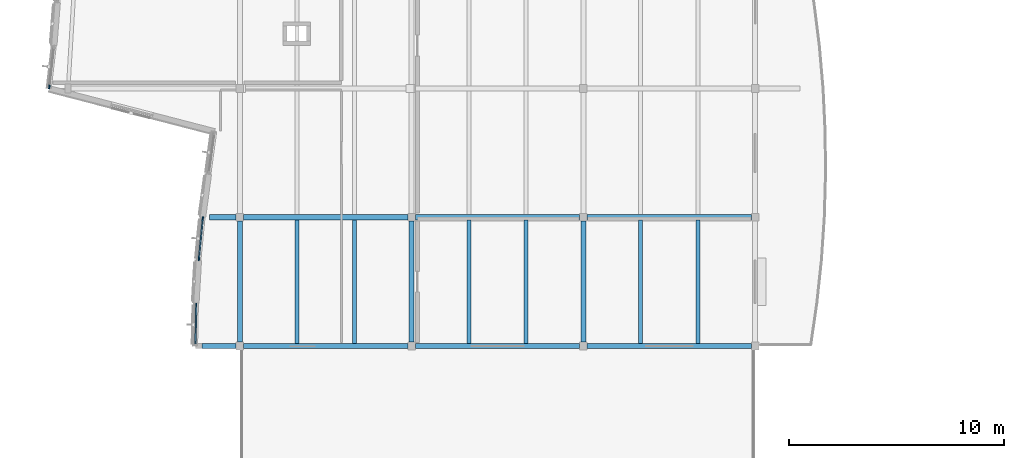
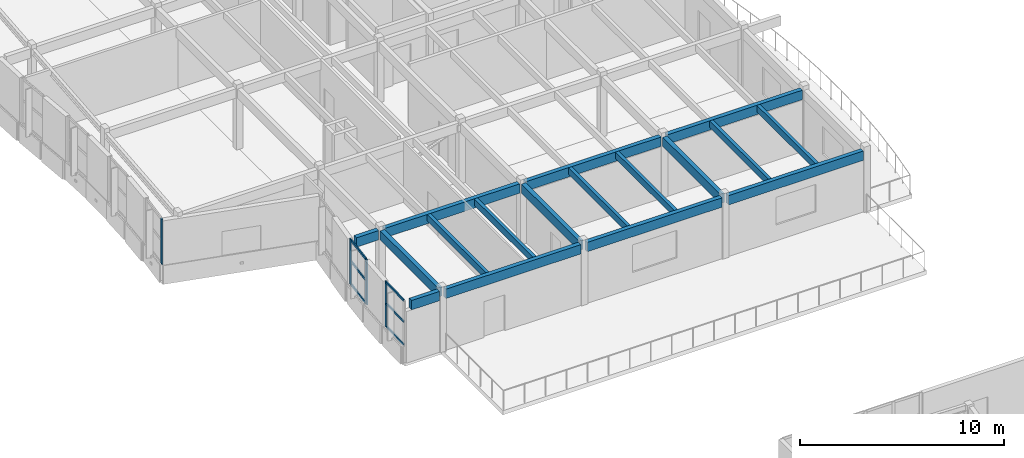
# One storey, part 6 of 63: 17 beams, 10 members, 3 elements without a shape of their own.
"""IFC4 building model written with IfcOpenShell, lengths in metres."""

from ifc_helpers import new_model, si_unit, direction, frame, origin, origin_2d, place, context, subcontext, project, spatial, rectangle, extrude, material, layer, layer_set, material_profile, profile_set, type_object, element, aggregate, save


model = new_model("IFC4")

# Units and contexts
model_context = context("Model", 3, precision=1e-05, world=origin(), true_north=direction((0.0, 1.0)))
body_context = subcontext(model_context, "Body", "Model", "MODEL_VIEW")
ifc_project = project(units=[si_unit("LENGTHUNIT", "METRE"), si_unit("AREAUNIT", "SQUARE_METRE"), si_unit("VOLUMEUNIT", "CUBIC_METRE"), si_unit("PLANEANGLEUNIT", "RADIAN"), si_unit("MASSUNIT", "GRAM", prefix="KILO")], contexts=[model_context])

# Site, building, storey
site_placement = place(None, origin())
site = spatial("IfcSite", under=ifc_project, at=site_placement, CompositionType="ELEMENT")
building_placement = place(site_placement, origin())
building = spatial("IfcBuilding", under=site, at=building_placement, Name="Tonlespit Floodbar School", CompositionType="ELEMENT")
storey_placement = place(building_placement, frame((0.0, 0.0, 8.39990234375)))
storey = spatial("IfcBuildingStorey", under=building, at=storey_placement, Name="L02", CompositionType="ELEMENT", Elevation=8.39990234375)

# Beams
ifc_material_1 = material(Name="Glulam GL28h", Category="wood")
ifc_material_profile_1 = material_profile(ifc_material_1, rectangle(XDim=0.239990234375, YDim=0.56005859375, at=origin_2d()), Name="GL 240x560")
ifc_profile_set_1 = profile_set([ifc_material_profile_1], Name="Glulam GL28h")
beam_type_1 = type_object("IfcBeamType", Name="Beam_GL_240x560", PredefinedType="BEAM", material=ifc_profile_set_1)
for number, where, z_axis, x_axis, name in (
    (1, (12.179931640625, 44.0, 3.3681640625), (1.0, 0.0, 0.0), (0.0, 1.0, 0.0), "L02 girder 0926"),
    (2, (20.179931640625, 44.0, 3.3681640625), (1.0, 0.0, 0.0), (0.0, 1.0, 0.0), "L02 girder 0927"),
    (3, (28.179931640625, 44.0, 3.3681640625), (1.0, 0.0, 0.0), (0.0, 1.0, 0.0), "L02 girder 0928"),
    (4, (12.179931640625, 50.0, 3.3681640625), (1.0, 0.0, 0.0), (0.0, 1.0, 0.0), "L02 girder 0929"),
    (5, (20.179931640625, 50.0, 3.3681640625), (1.0, 0.0, 0.0), (0.0, 1.0, 0.0), "L02 girder 0930"),
    (6, (28.179931640625, 50.0, 3.3681640625), (1.0, 0.0, 0.0), (0.0, 1.0, 0.0), "L02 girder 0931"),
):
    element("IfcBeam", number, at=place(storey_placement, frame(where, z_axis=z_axis, x_axis=x_axis)), inside=storey, type_object=beam_type_1, Name=name, PredefinedType="BEAM", context=body_context, shape_type="SweptSolid", body=[
        extrude(rectangle(XDim=0.239990234375, YDim=0.56005859375, at=origin_2d()), origin(), (0.0, 0.0, 1.0), 7.64013671875),
    ])
for number, where, z_axis, x_axis, name in (
    (7, (12.0, 44.179931640625, 3.3681640625), (0.0, 1.0, 0.0), (-1.0, 0.0, 0.0), "L02 girder 1001"),
    (8, (20.0, 44.179931640625, 3.3681640625), (0.0, 1.0, 0.0), (-1.0, 0.0, 0.0), "L02 girder 1010"),
    (9, (28.0, 44.179931640625, 3.3681640625), (0.0, 1.0, 0.0), (-1.0, 0.0, 0.0), "L02 girder 1019"),
):
    element("IfcBeam", number, at=place(storey_placement, frame(where, z_axis=z_axis, x_axis=x_axis)), inside=storey, type_object=beam_type_1, Name=name, PredefinedType="BEAM", context=body_context, shape_type="SweptSolid", body=[
        extrude(rectangle(XDim=0.239990234375, YDim=0.56005859375, at=origin_2d()), origin(), (0.0, 0.0, 1.0), 5.64013671875),
    ])
beam_1_placement = place(storey_placement, frame((11.820068359375, 44.0, 3.3701171875), z_axis=(-1.0, 0.0, 0.0), x_axis=(0.0, -1.0, 0.0)))
element("IfcBeam", 10, at=beam_1_placement, inside=storey, type_object=beam_type_1, Name="L02 west street wave cantilever bracket", PredefinedType="BEAM", context=body_context, shape_type="SweptSolid", body=[
    extrude(rectangle(XDim=0.239990234375, YDim=0.56005859375, at=origin_2d()), origin(), (0.0, 0.0, 1.0), 1.589111328125),
])
beam_2_placement = place(storey_placement, frame((11.820068359375, 50.0, 3.3701171875), z_axis=(-1.0, 0.0, 0.0), x_axis=(0.0, -1.0, 0.0)))
element("IfcBeam", 11, at=beam_2_placement, inside=storey, type_object=beam_type_1, Name="L02 west street wave cantilever bracket", PredefinedType="BEAM", context=body_context, shape_type="SweptSolid", body=[
    extrude(rectangle(XDim=0.239990234375, YDim=0.56005859375, at=origin_2d()), origin(), (0.0, 0.0, 1.0), 1.241943359375),
])

# Curtain wall, member
ifc_material_2 = material(Name="Anodised Aluminium", Category="aluminium")
ifc_layer_1 = layer(ifc_material_2, 0.159912109375)
ifc_layer_set_1 = layer_set([ifc_layer_1], Name="Anodised Aluminium")
curtain_wall_type_1 = type_object("IfcCurtainWallType", Name="CurtainWall_1900x2700", PredefinedType="NOTDEFINED", material=ifc_layer_set_1)
curtain_wall_1_placement = place(storey_placement, origin())
curtain_wall_1 = element("IfcCurtainWall", 12, at=curtain_wall_1_placement, inside=storey, type_object=curtain_wall_type_1, Name="L02 unitised curtain wall 0284", PredefinedType="NOTDEFINED")
ifc_material_profile_2 = material_profile(ifc_material_2, rectangle(XDim=0.06494140625, YDim=0.14990234375, at=origin_2d()), Name="ALU M65x150")
ifc_profile_set_2 = profile_set([ifc_material_profile_2], Name="Anodised Aluminium")
member_type_1 = type_object("IfcMemberType", Name="CW_Mullion_65x150", PredefinedType="MULLION", material=ifc_profile_set_2)
member_1_placement = place(storey_placement, frame((9.968017578125, 45.927490234375, 0.9501953125), z_axis=(0.0, 0.0, 1.0), x_axis=(-0.999815370969, 0.019215201653, 0.0)))
member_1 = element("IfcMember", 13, at=member_1_placement, type_object=member_type_1, Name="CW-05 mullion 2", PredefinedType="MULLION", context=body_context, shape_type="SweptSolid", body=[
    extrude(rectangle(XDim=0.06494140625, YDim=0.14990234375, at=origin_2d()), origin(), (0.0, 0.0, 1.0), 2.699951171875),
])

# Curtain wall, members
ifc_layer_2 = layer(ifc_material_2, 0.159912109375)
ifc_layer_set_2 = layer_set([ifc_layer_2], Name="Anodised Aluminium")
curtain_wall_type_2 = type_object("IfcCurtainWallType", Name="CurtainWall_1950x2700", PredefinedType="NOTDEFINED", material=ifc_layer_set_2)
curtain_wall_2_placement = place(storey_placement, origin())
curtain_wall_2 = element("IfcCurtainWall", 14, at=curtain_wall_2_placement, inside=storey, type_object=curtain_wall_type_2, Name="L02 unitised curtain wall 0285", PredefinedType="NOTDEFINED")
ifc_material_profile_3 = material_profile(ifc_material_2, rectangle(XDim=0.06494140625, YDim=0.179931640625, at=origin_2d()), Name="ALU M65x180")
ifc_profile_set_3 = profile_set([ifc_material_profile_3], Name="Anodised Aluminium")
member_type_2 = type_object("IfcMemberType", Name="CW_Mullion_65x180", PredefinedType="MULLION", material=ifc_profile_set_3)
member_2_placement = place(storey_placement, frame((10.092041015625, 48.072265625, 0.9501953125), z_axis=(0.0, 0.0, 1.0), x_axis=(-0.995362188546, 0.096198303585, 0.0)))
member_2 = element("IfcMember", 15, at=member_2_placement, type_object=member_type_2, Name="CW-04 mullion 1", PredefinedType="MULLION", context=body_context, shape_type="SweptSolid", body=[
    extrude(rectangle(XDim=0.06494140625, YDim=0.179931640625, at=origin_2d()), origin(), (0.0, 0.0, 1.0), 2.699951171875),
])
member_3_placement = place(storey_placement, frame((10.271240234375, 49.927734375, 0.9501953125), z_axis=(0.0, 0.0, 1.0), x_axis=(-0.995362188546, 0.096198303585, 0.0)))
member_3 = element("IfcMember", 16, at=member_3_placement, type_object=member_type_2, Name="CW-04 mullion 2", PredefinedType="MULLION", context=body_context, shape_type="SweptSolid", body=[
    extrude(rectangle(XDim=0.06494140625, YDim=0.179931640625, at=origin_2d()), origin(), (0.0, 0.0, 1.0), 2.699951171875),
])

# Curtain wall, member
curtain_wall_3_placement = place(storey_placement, origin())
curtain_wall_3 = element("IfcCurtainWall", 17, at=curtain_wall_3_placement, inside=storey, type_object=curtain_wall_type_2, Name="L02 unitised curtain wall 0287", PredefinedType="NOTDEFINED")
member_4_placement = place(storey_placement, frame((3.12353515625, 56.072021484375, 0.9501953125), z_axis=(0.0, 0.0, 1.0), x_axis=(-0.993135771716, 0.116967255837, 0.0)))
member_4 = element("IfcMember", 18, at=member_4_placement, type_object=member_type_2, Name="CW-04 mullion 1", PredefinedType="MULLION", context=body_context, shape_type="SweptSolid", body=[
    extrude(rectangle(XDim=0.06494140625, YDim=0.179931640625, at=origin_2d()), origin(), (0.0, 0.0, 1.0), 2.699951171875),
])
aggregate(curtain_wall_3, [member_4])

# Member
ifc_material_profile_4 = material_profile(ifc_material_2, rectangle(XDim=0.06494140625, YDim=0.1201171875, at=origin_2d()), Name="ALU T65x120")
ifc_profile_set_4 = profile_set([ifc_material_profile_4], Name="Anodised Aluminium")
member_type_3 = type_object("IfcMemberType", Name="CW_Transom_65x120", PredefinedType="USERDEFINED", material=ifc_profile_set_4)
member_5_placement = place(storey_placement, frame((9.932861328125, 44.10498046875, 0.982666015625), z_axis=(0.019227214231, 0.99981514003, 0.0), x_axis=(-0.99981514003, 0.019227214231, 0.0)))
member_5 = element("IfcMember", 19, at=member_5_placement, type_object=member_type_3, Name="CW-05 transom 1.1", ObjectType="TRANSOM", PredefinedType="USERDEFINED", context=body_context, shape_type="SweptSolid", body=[
    extrude(rectangle(XDim=0.06494140625, YDim=0.1201171875, at=origin_2d()), origin(), (0.0, 0.0, 1.0), 1.790283203125),
])

member_6_placement = place(storey_placement, frame((9.932861328125, 44.10498046875, 2.35400390625), z_axis=(0.019227214231, 0.99981514003, 0.0), x_axis=(-0.99981514003, 0.019227214231, 0.0)))
member_6 = element("IfcMember", 20, at=member_6_placement, type_object=member_type_3, Name="CW-05 transom 1.2", ObjectType="TRANSOM", PredefinedType="USERDEFINED", context=body_context, shape_type="SweptSolid", body=[
    extrude(rectangle(XDim=0.06494140625, YDim=0.1201171875, at=origin_2d()), origin(), (0.0, 0.0, 1.0), 1.790283203125),
])

member_7_placement = place(storey_placement, frame((9.932861328125, 44.10498046875, 3.61767578125), z_axis=(0.019227214231, 0.99981514003, 0.0), x_axis=(-0.99981514003, 0.019227214231, 0.0)))
member_7 = element("IfcMember", 21, at=member_7_placement, type_object=member_type_3, Name="CW-05 transom 1.3", ObjectType="TRANSOM", PredefinedType="USERDEFINED", context=body_context, shape_type="SweptSolid", body=[
    extrude(rectangle(XDim=0.06494140625, YDim=0.1201171875, at=origin_2d()), origin(), (0.0, 0.0, 1.0), 1.790283203125),
])

aggregate(curtain_wall_1, [member_1, member_5, member_6, member_7])

ifc_material_profile_5 = material_profile(ifc_material_2, rectangle(XDim=0.06494140625, YDim=0.139892578125, at=origin_2d()), Name="ALU T65x140")
ifc_profile_set_5 = profile_set([ifc_material_profile_5], Name="Anodised Aluminium")
member_type_4 = type_object("IfcMemberType", Name="CW_Transom_65x140", PredefinedType="USERDEFINED", material=ifc_profile_set_5)
member_8_placement = place(storey_placement, frame((10.094970703125, 48.1044921875, 0.982666015625), z_axis=(0.096198443578, 0.995362175016, 0.0), x_axis=(-0.995362175016, 0.096198443578, 0.0)))
member_8 = element("IfcMember", 22, at=member_8_placement, type_object=member_type_4, Name="CW-04 transom 1.1", ObjectType="TRANSOM", PredefinedType="USERDEFINED", context=body_context, shape_type="SweptSolid", body=[
    extrude(rectangle(XDim=0.06494140625, YDim=0.139892578125, at=origin_2d()), origin(), (0.0, 0.0, 1.0), 1.79931640625),
])

member_9_placement = place(storey_placement, frame((10.094970703125, 48.1044921875, 2.35400390625), z_axis=(0.096198443578, 0.995362175016, 0.0), x_axis=(-0.995362175016, 0.096198443578, 0.0)))
member_9 = element("IfcMember", 23, at=member_9_placement, type_object=member_type_4, Name="CW-04 transom 1.2", ObjectType="TRANSOM", PredefinedType="USERDEFINED", context=body_context, shape_type="SweptSolid", body=[
    extrude(rectangle(XDim=0.06494140625, YDim=0.139892578125, at=origin_2d()), origin(), (0.0, 0.0, 1.0), 1.79931640625),
])

member_10_placement = place(storey_placement, frame((10.094970703125, 48.1044921875, 3.61767578125), z_axis=(0.096198443578, 0.995362175016, 0.0), x_axis=(-0.995362175016, 0.096198443578, 0.0)))
member_10 = element("IfcMember", 24, at=member_10_placement, type_object=member_type_4, Name="CW-04 transom 1.3", ObjectType="TRANSOM", PredefinedType="USERDEFINED", context=body_context, shape_type="SweptSolid", body=[
    extrude(rectangle(XDim=0.06494140625, YDim=0.139892578125, at=origin_2d()), origin(), (0.0, 0.0, 1.0), 1.79931640625),
])

aggregate(curtain_wall_2, [member_2, member_3, member_8, member_9, member_10])

# Beams
ifc_material_profile_6 = material_profile(ifc_material_1, rectangle(XDim=0.179931640625, YDim=0.39990234375, at=origin_2d()), Name="GL 180x400")
ifc_profile_set_6 = profile_set([ifc_material_profile_6], Name="Glulam GL28h")
beam_type_2 = type_object("IfcBeamType", Name="Joist_GL_180x400", PredefinedType="JOIST", material=ifc_profile_set_6)
for number, where, z_axis, x_axis, name in (
    (25, (14.666748046875, 44.1201171875, 3.447998046875), (0.0, 1.0, 0.0), (-1.0, 0.0, 0.0), "L02 secondary joist 1065"),
    (26, (17.333251953125, 44.1201171875, 3.447998046875), (0.0, 1.0, 0.0), (-1.0, 0.0, 0.0), "L02 secondary joist 1066"),
    (27, (22.666748046875, 44.1201171875, 3.447998046875), (0.0, 1.0, 0.0), (-1.0, 0.0, 0.0), "L02 secondary joist 1067"),
    (28, (25.333251953125, 44.1201171875, 3.447998046875), (0.0, 1.0, 0.0), (-1.0, 0.0, 0.0), "L02 secondary joist 1068"),
    (29, (30.666748046875, 44.1201171875, 3.447998046875), (0.0, 1.0, 0.0), (-1.0, 0.0, 0.0), "L02 secondary joist 1069"),
    (30, (33.333251953125, 44.1201171875, 3.447998046875), (0.0, 1.0, 0.0), (-1.0, 0.0, 0.0), "L02 secondary joist 1070"),
):
    element("IfcBeam", number, at=place(storey_placement, frame(where, z_axis=z_axis, x_axis=x_axis)), inside=storey, type_object=beam_type_2, Name=name, PredefinedType="JOIST", context=body_context, shape_type="SweptSolid", body=[
        extrude(rectangle(XDim=0.179931640625, YDim=0.39990234375, at=origin_2d()), origin(), (0.0, 0.0, 1.0), 5.759765625),
    ])

save(model, "model.ifc")
